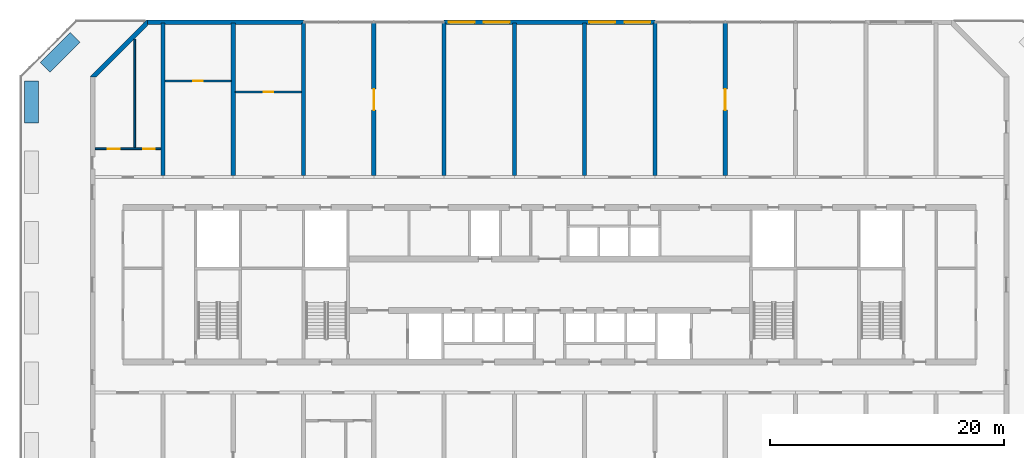
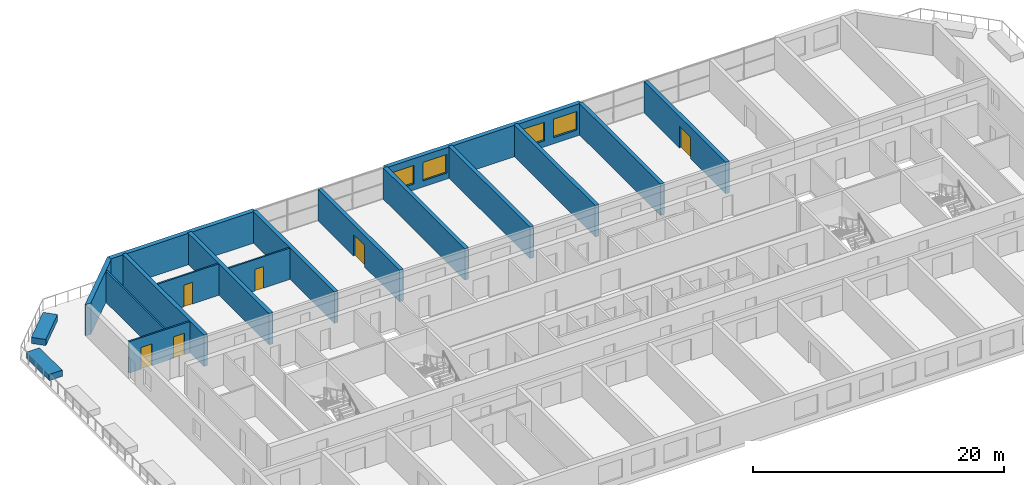
# One storey, part 12 of 18: 18 walls, 6 doors, 4 windows, 10 openings.
"""IFC4 building model written with IfcOpenShell, lengths in metres."""

import ifcopenshell
import ifcopenshell.guid

model = None  # the IFC model being written
_history = None  # IfcOwnerHistory: only IFC2X3 demands one
_inside = {}  # id of a spatial element -> (the spatial element, [elements in it])
_under = {}  # id of a project, library or spatial element -> (it, [spatial elements below it])
_declared = {}  # id of a project -> (the project, [libraries it declares])
_typed = {}  # id of a type object -> (the type object, [elements of that type])
_made_of = {}  # id of a material, layer set ... -> (it, [elements and type objects made of it])


def new_model(schema):
    """Start an empty IFC model of exactly this schema.

    Asked for "IFC4X3", IfcOpenShell would pick the latest addendum, in which some entities
    have other attributes; the version numbers below select the first issue.
    IFC2X3 requires an IfcOwnerHistory on every rooted entity: one is made here for all.
    """
    global model, _history
    if schema == "IFC4X3":
        model = ifcopenshell.file(schema_version=(4, 3, 0, 0))
    else:
        model = ifcopenshell.file(schema=schema)
    _inside.clear()
    _under.clear()
    _declared.clear()
    _typed.clear()
    _made_of.clear()
    _history = None
    if model.schema == "IFC2X3":
        org = make("IfcOrganization", Name="unknown")
        user = make(
            "IfcPersonAndOrganization",
            ThePerson=make("IfcPerson", FamilyName="unknown"),
            TheOrganization=org,
        )
        app = make(
            "IfcApplication",
            ApplicationDeveloper=org,
            Version="unknown",
            ApplicationFullName="unknown",
            ApplicationIdentifier="unknown",
        )
        _history = make(
            "IfcOwnerHistory",
            OwningUser=user,
            OwningApplication=app,
            ChangeAction="ADDED",
            CreationDate=0,
        )
    return model


def make(cls, **values):
    """One entity of the class cls with the attributes given. An attribute that is None is left unset."""
    return model.create_entity(
        cls, **{name: value for name, value in values.items() if value is not None}
    )


def rooted(cls, **values):
    """An entity with a GlobalId (a new one), such as an element, a storey or a relation."""
    return make(cls, GlobalId=ifcopenshell.guid.new(), OwnerHistory=_history, **values)


def si_unit(unit_type, name, prefix=None):
    """IfcSIUnit, for example si_unit("LENGTHUNIT", "METRE", prefix="MILLI")."""
    return make("IfcSIUnit", UnitType=unit_type, Prefix=prefix, Name=name)


def assignment(units):
    """IfcUnitAssignment: the units of a project."""
    return None if units is None else make("IfcUnitAssignment", Units=units)


def point(xyz):
    """IfcCartesianPoint."""
    return None if xyz is None else make("IfcCartesianPoint", Coordinates=xyz)


def direction(xyz):
    """IfcDirection."""
    return None if xyz is None else make("IfcDirection", DirectionRatios=xyz)


def frame(location, z_axis=None, x_axis=None):
    """IfcAxis2Placement3D, a coordinate frame: its origin and axes. An axis left out is left unset."""
    return make(
        "IfcAxis2Placement3D",
        Location=point(location),
        Axis=direction(z_axis),
        RefDirection=direction(x_axis),
    )


def frame_2d(location, x_axis=None):
    """IfcAxis2Placement2D, a coordinate frame in the plane: its origin and x axis."""
    return make(
        "IfcAxis2Placement2D", Location=point(location), RefDirection=direction(x_axis)
    )


def origin():
    """The frame at (0, 0, 0) with its axes left unset."""
    return frame((0.0, 0.0, 0.0))


def place(relative_to, where):
    """IfcLocalPlacement: puts the frame where relative to a parent placement (None: the world)."""
    return make(
        "IfcLocalPlacement", PlacementRelTo=relative_to, RelativePlacement=where
    )


def context(
    kind, dimensions, precision=None, world=None, true_north=None, identifier=None
):
    """IfcGeometricRepresentationContext, for example the 3D "Model" context."""
    return make(
        "IfcGeometricRepresentationContext",
        ContextIdentifier=identifier,
        ContextType=kind,
        CoordinateSpaceDimension=dimensions,
        Precision=precision,
        WorldCoordinateSystem=world,
        TrueNorth=true_north,
    )


def subcontext(parent, identifier, kind, view, scale=None):
    """IfcGeometricRepresentationSubContext, for example "Body" below "Model"."""
    return make(
        "IfcGeometricRepresentationSubContext",
        ContextIdentifier=identifier,
        ContextType=kind,
        ParentContext=parent,
        TargetScale=scale,
        TargetView=view,
    )


def project(units=None, contexts=None):
    """IfcProject with its units and contexts."""
    return rooted(
        "IfcProject",
        Name="project",
        RepresentationContexts=contexts,
        UnitsInContext=assignment(units),
    )


def spatial(cls, under=None, at=None, **own):
    """A site, building, storey or space (cls), placed at a placement, below another one or the project."""
    s = rooted(cls, ObjectPlacement=at, **own)
    if under is not None:
        _under.setdefault(under.id(), (under, []))[1].append(s)
    return s


def polyline(points):
    """IfcPolyline through the points."""
    return make("IfcPolyline", Points=[point(p) for p in points])


def profile(cls, at=None, kind="AREA", **sizes):
    """A parametric profile (cls). Its sizes go by their IFC names, for example OverallWidth=200.0."""
    return make(cls, ProfileType=kind, Position=at, **sizes)


def rectangle(**sizes):
    """IfcRectangleProfileDef."""
    return profile("IfcRectangleProfileDef", **sizes)


def outline(outer, holes=None, kind="AREA"):
    """IfcArbitraryClosedProfileDef: a profile drawn as a closed curve; with holes, ...WithVoids."""
    if holes is None:
        return make("IfcArbitraryClosedProfileDef", ProfileType=kind, OuterCurve=outer)
    return make(
        "IfcArbitraryProfileDefWithVoids",
        ProfileType=kind,
        OuterCurve=outer,
        InnerCurves=holes,
    )


def extrude(swept, where, along, depth):
    """IfcExtrudedAreaSolid: the profile swept, set in the frame where, extruded along a direction by depth."""
    return make(
        "IfcExtrudedAreaSolid",
        SweptArea=swept,
        Position=where,
        ExtrudedDirection=direction(along),
        Depth=depth,
    )


def shape(context_of_items, identifier, shape_type, items):
    """IfcShapeRepresentation: the items that make up one representation, for example the "Body"."""
    return make(
        "IfcShapeRepresentation",
        ContextOfItems=context_of_items,
        RepresentationIdentifier=identifier,
        RepresentationType=shape_type,
        Items=items,
    )


def source(mapping_origin, context_of_items, identifier, shape_type, items):
    """IfcRepresentationMap: a shape defined once, which mapped items show again and again."""
    return make(
        "IfcRepresentationMap",
        MappingOrigin=mapping_origin,
        MappedRepresentation=shape(context_of_items, identifier, shape_type, items),
    )


def transform(
    local_origin,
    x_axis=None,
    y_axis=None,
    z_axis=None,
    scale=None,
    scale2=None,
    scale3=None,
    uniform=True,
):
    """IfcCartesianTransformationOperator3D, or its non-uniform kind. x_axis, y_axis, z_axis: its Axis1, 2, 3."""
    if uniform:
        return make(
            "IfcCartesianTransformationOperator3D",
            Axis1=direction(x_axis),
            Axis2=direction(y_axis),
            LocalOrigin=point(local_origin),
            Scale=scale,
            Axis3=direction(z_axis),
        )
    return make(
        "IfcCartesianTransformationOperator3DnonUniform",
        Axis1=direction(x_axis),
        Axis2=direction(y_axis),
        LocalOrigin=point(local_origin),
        Scale=scale,
        Axis3=direction(z_axis),
        Scale2=scale2,
        Scale3=scale3,
    )


def mapped(mapping_source, mapping_target):
    """IfcMappedItem: shows the shape of a source again, moved by a transform."""
    return make(
        "IfcMappedItem", MappingSource=mapping_source, MappingTarget=mapping_target
    )


def material(Name=None, Category=None):
    """IfcMaterial."""
    return make("IfcMaterial", Name=Name, Category=Category)


def layer(
    of_material, thickness, ventilated=None, Name=None, Category=None, Priority=None
):
    """IfcMaterialLayer: one layer of a wall or slab, of a material (None: an air gap)."""
    return make(
        "IfcMaterialLayer",
        Material=of_material,
        LayerThickness=thickness,
        IsVentilated=ventilated,
        Name=Name,
        Category=Category,
        Priority=Priority,
    )


def layer_set(layers, Name=None):
    """IfcMaterialLayerSet."""
    return make("IfcMaterialLayerSet", MaterialLayers=layers, LayerSetName=Name)


def made_of(thing, what):
    """Note that an element or type object is made of a material, layer set ...; save() writes the relation."""
    if what is not None:
        _made_of.setdefault(what.id(), (what, []))[1].append(thing)
    return thing


def type_object(cls, material=None, **own):
    """A type object (cls), such as IfcWallType, which elements share."""
    return made_of(rooted(cls, **own), material)


def element(
    cls,
    number,
    at=None,
    inside=None,
    cuts=None,
    type_object=None,
    material=None,
    context=None,
    identifier="Body",
    shape_type=None,
    held_by="IfcProductDefinitionShape",
    body=None,
    shapes=None,
    **own,
):
    """One element of the class cls, such as IfcWall. Its Tag is "e" and its number.

    at: its placement. inside: the storey or other place that contains it. cuts: it is an
    opening in that element (IfcRelVoidsElement). A single representation is given by context,
    identifier, shape_type and body (its items); several are given by shapes. held_by: the class
    of the entity that holds the representations. save() writes the other relations.
    """
    e = rooted(cls, Tag="e%d" % number, ObjectPlacement=at, **own)
    if body is not None:
        shapes = [shape(context, identifier, shape_type, body)]
    if shapes is not None:
        e.Representation = make(held_by, Representations=shapes)
    if inside is not None:
        _inside.setdefault(inside.id(), (inside, []))[1].append(e)
    if cuts is not None:
        rooted(
            "IfcRelVoidsElement", RelatingBuildingElement=cuts, RelatedOpeningElement=e
        )
    if type_object is not None:
        _typed.setdefault(type_object.id(), (type_object, []))[1].append(e)
    return made_of(e, material)


def fill(opening, filler):
    """IfcRelFillsElement: the door or window that sits in an opening."""
    return rooted(
        "IfcRelFillsElement",
        RelatingOpeningElement=opening,
        RelatedBuildingElement=filler,
    )


def aggregate(whole, parts):
    """IfcRelAggregates: a whole, such as a stair, and the parts it consists of."""
    return rooted("IfcRelAggregates", RelatingObject=whole, RelatedObjects=parts)


def save(model, path):
    """Write the relations noted so far, then the file.

    IfcRelAggregates (storeys below a building ...), IfcRelContainedInSpatialStructure (elements
    in a storey), IfcRelDefinesByType, IfcRelAssociatesMaterial and IfcRelDeclares: one each for
    every whole, place, type object, material and project.
    """
    for whole, parts in _under.values():
        aggregate(whole, parts)
    for where, things in _inside.values():
        rooted(
            "IfcRelContainedInSpatialStructure",
            RelatedElements=things,
            RelatingStructure=where,
        )
    for kind, things in _typed.values():
        rooted("IfcRelDefinesByType", RelatedObjects=things, RelatingType=kind)
    for what, things in _made_of.values():
        rooted("IfcRelAssociatesMaterial", RelatedObjects=things, RelatingMaterial=what)
    for by, libraries in _declared.values():
        rooted("IfcRelDeclares", RelatingContext=by, RelatedDefinitions=libraries)
    model.write(path)


model = new_model("IFC4")

# Units and contexts
model_context = context("Model", 3, precision=1e-05, world=origin(), true_north=direction((0.0, 1.0)))
body_context = subcontext(model_context, "Body", "Model", "MODEL_VIEW")
ifc_project = project(units=[si_unit("LENGTHUNIT", "METRE"), si_unit("AREAUNIT", "SQUARE_METRE"), si_unit("VOLUMEUNIT", "CUBIC_METRE"), si_unit("PLANEANGLEUNIT", "RADIAN"), si_unit("MASSUNIT", "GRAM", prefix="KILO")], contexts=[model_context])

# Site, building, storey
site_placement = place(None, origin())
site = spatial("IfcSite", under=ifc_project, at=site_placement, CompositionType="ELEMENT")
building_placement = place(site_placement, origin())
building = spatial("IfcBuilding", under=site, at=building_placement, Name="Poui Terraces", CompositionType="ELEMENT")
storey_placement = place(building_placement, frame((0.0, 0.0, 105.89990234375)))
storey = spatial("IfcBuildingStorey", under=building, at=storey_placement, Name="L29", CompositionType="ELEMENT", Elevation=105.89990234375)

# Wall, openings, doors
ifc_material_1 = material(Name="Fire-rated plasterboard wall")
ifc_layer_1 = layer(ifc_material_1, 0.14990234375)
ifc_layer_set_1 = layer_set([ifc_layer_1], Name="Fire-rated plasterboard wall")
wall_type_1 = type_object("IfcWallType", Name="CORRIDOR WALL 150", PredefinedType="PARTITIONING", material=ifc_layer_set_1)
wall_1_placement = place(storey_placement, frame((12.2099609375, 32.800048828125, 0.0), z_axis=(0.0, 0.0, 1.0), x_axis=(1.0, 0.0, 0.0)))
wall_1 = element("IfcWall", 1, at=wall_1_placement, inside=storey, type_object=wall_type_1, Name="CORRIDOR WALL 150", PredefinedType="PARTITIONING", context=body_context, shape_type="SweptSolid", body=[
    extrude(rectangle(XDim=5.60498046875, YDim=0.14990234375, at=frame_2d((2.802490234375, 0.0))), origin(), (0.0, 0.0, 1.0), 3.06005859375),
])
opening_1_placement = place(wall_1_placement, frame((1.090087890625, 0.0, 0.0)))
opening_1 = element("IfcOpeningElement", 2, at=opening_1_placement, cuts=wall_1, Name="Opening D100", PredefinedType="OPENING", context=body_context, shape_type="SweptSolid", body=[
    extrude(rectangle(XDim=1.0, YDim=2.10009765625, at=frame_2d((0.5, 1.050048828125))), frame((0.0, 0.0849609375, 0.0), z_axis=(0.0, -1.0, 0.0), x_axis=(1.0, 0.0, 0.0)), (0.0, 0.0, 1.0), 0.169921875),
])
opening_2_placement = place(wall_1_placement, frame((4.090087890625, 0.0, 0.0)))
opening_2 = element("IfcOpeningElement", 3, at=opening_2_placement, cuts=wall_1, Name="Opening D100", PredefinedType="OPENING", context=body_context, shape_type="SweptSolid", body=[
    extrude(rectangle(XDim=1.0, YDim=2.10009765625, at=frame_2d((0.5, 1.050048828125))), frame((0.0, 0.0849609375, 0.0), z_axis=(0.0, -1.0, 0.0), x_axis=(1.0, 0.0, 0.0)), (0.0, 0.0, 1.0), 0.169921875),
])
ifc_material_2 = material(Name="Solid core timber door", Category="wood")
door_type_1 = type_object("IfcDoorType", Name="ACCESSIBLE INTERNAL DOOR 1000 X 2100", OperationType="NOTDEFINED", PredefinedType="DOOR", material=ifc_material_2)
door_1_placement = place(opening_1_placement, frame((1.0, 0.0, 0.0), z_axis=(0.0, 0.0, 1.0), x_axis=(-1.0, 0.0, 0.0)))
door_1 = element("IfcDoor", 4, at=door_1_placement, inside=storey, type_object=door_type_1, Name="ACCESSIBLE INTERNAL DOOR 057", OperationType="SINGLE_SWING_RIGHT", OverallHeight=2.10009765625, OverallWidth=1.0, PredefinedType="DOOR", context=body_context, shape_type="SweptSolid", body=[
    extrude(rectangle(XDim=1.0, YDim=2.10009765625, at=frame_2d((0.5, 1.050048828125))), frame((0.0, 0.02490234375, 0.0), z_axis=(0.0, -1.0, 0.0), x_axis=(1.0, 0.0, 0.0)), (0.0, 0.0, 1.0), 0.050048828125),
])
fill(opening_1, door_1)
door_2_placement = place(opening_2_placement, frame((1.0, 0.0, 0.0), z_axis=(0.0, 0.0, 1.0), x_axis=(-1.0, 0.0, 0.0)))
door_2 = element("IfcDoor", 5, at=door_2_placement, inside=storey, type_object=door_type_1, Name="ACCESSIBLE INTERNAL DOOR 058", OperationType="SINGLE_SWING_LEFT", OverallHeight=2.10009765625, OverallWidth=1.0, PredefinedType="DOOR", context=body_context, shape_type="SweptSolid", body=[
    extrude(rectangle(XDim=1.0, YDim=2.10009765625, at=frame_2d((0.5, 1.050048828125))), frame((0.0, 0.02490234375, 0.0), z_axis=(0.0, -1.0, 0.0), x_axis=(1.0, 0.0, 0.0)), (0.0, 0.0, 1.0), 0.050048828125),
])
fill(opening_2, door_2)

# Walls
ifc_material_3 = material(Name="Concrete 65 MPa", Category="concrete")
ifc_layer_2 = layer(ifc_material_3, 0.35009765625)
ifc_layer_set_2 = layer_set([ifc_layer_2], Name="Concrete 65 MPa")
wall_type_2 = type_object("IfcWallType", Name="CROSS WALL 350 65MPa", PredefinedType="SHEAR", material=ifc_layer_set_2)
for number, where, z_axis, x_axis, name in (
    (6, (18.0, 30.52490234375, 0.0), (0.0, 0.0, 1.0), (0.0, 1.0, 0.0), "CROSS WALL LINE 4 NORTH"),
    (7, (24.0, 30.52490234375, 0.0), (0.0, 0.0, 1.0), (0.0, 1.0, 0.0), "CROSS WALL LINE 5 NORTH"),
    (8, (30.0, 30.52490234375, 0.0), (0.0, 0.0, 1.0), (0.0, 1.0, 0.0), "CROSS WALL LINE 6 NORTH"),
):
    element("IfcWall", number, at=place(storey_placement, frame(where, z_axis=z_axis, x_axis=x_axis)), inside=storey, type_object=wall_type_2, Name=name, PredefinedType="SHEAR", context=body_context, shape_type="SweptSolid", body=[
        extrude(rectangle(XDim=13.0, YDim=0.35009765625, at=frame_2d((6.5, 0.0))), origin(), (0.0, 0.0, 1.0), 3.06005859375),
    ])

# Wall, opening, door
wall_2_placement = place(storey_placement, frame((36.0, 30.52490234375, 0.0), z_axis=(0.0, 0.0, 1.0), x_axis=(0.0, 1.0, 0.0)))
wall_2 = element("IfcWall", 9, at=wall_2_placement, inside=storey, type_object=wall_type_2, Name="CROSS WALL LINE 7 NORTH", PredefinedType="SHEAR", context=body_context, shape_type="SweptSolid", body=[
    extrude(rectangle(XDim=13.0, YDim=0.35009765625, at=frame_2d((6.5, 0.0))), origin(), (0.0, 0.0, 1.0), 3.06005859375),
])
opening_3_placement = place(wall_2_placement, frame((5.574951171875, 0.0, 0.0)))
opening_3 = element("IfcOpeningElement", 10, at=opening_3_placement, cuts=wall_2, Name="Opening DD180", PredefinedType="OPENING", context=body_context, shape_type="SweptSolid", body=[
    extrude(rectangle(XDim=1.800048828125, YDim=2.10009765625, at=frame_2d((0.89990234375, 1.050048828125))), frame((0.0, 0.18505859375, 0.0), z_axis=(0.0, -1.0, 0.0), x_axis=(1.0, 0.0, 0.0)), (0.0, 0.0, 1.0), 0.3701171875),
])
ifc_material_4 = material(Name="Steel fire door", Category="steel")
door_type_2 = type_object("IfcDoorType", Name="DOUBLE INTERNAL DOOR 1800 X 2100", OperationType="DOUBLE_DOOR_SINGLE_SWING", PredefinedType="DOOR", material=ifc_material_4)
door_3_placement = place(opening_3_placement, origin())
door_3 = element("IfcDoor", 11, at=door_3_placement, inside=storey, type_object=door_type_2, Name="DOUBLE INTERNAL DOOR 061", OperationType="DOUBLE_DOOR_SINGLE_SWING", OverallHeight=2.10009765625, OverallWidth=1.800048828125, PredefinedType="DOOR", context=body_context, shape_type="SweptSolid", body=[
    extrude(rectangle(XDim=1.800048828125, YDim=2.10009765625, at=frame_2d((0.89990234375, 1.050048828125))), frame((0.0, 0.02490234375, 0.0), z_axis=(0.0, -1.0, 0.0), x_axis=(1.0, 0.0, 0.0)), (0.0, 0.0, 1.0), 0.050048828125),
])
fill(opening_3, door_3)

# Walls
for number, where, z_axis, x_axis, name in (
    (12, (42.0, 30.52490234375, 0.0), (0.0, 0.0, 1.0), (0.0, 1.0, 0.0), "CROSS WALL LINE 8 NORTH"),
    (13, (48.0, 30.52490234375, 0.0), (0.0, 0.0, 1.0), (0.0, 1.0, 0.0), "CROSS WALL LINE 9 NORTH"),
    (14, (54.0, 30.52490234375, 0.0), (0.0, 0.0, 1.0), (0.0, 1.0, 0.0), "CROSS WALL LINE 10 NORTH"),
    (15, (60.0, 30.52490234375, 0.0), (0.0, 0.0, 1.0), (0.0, 1.0, 0.0), "CROSS WALL LINE 11 NORTH"),
):
    element("IfcWall", number, at=place(storey_placement, frame(where, z_axis=z_axis, x_axis=x_axis)), inside=storey, type_object=wall_type_2, Name=name, PredefinedType="SHEAR", context=body_context, shape_type="SweptSolid", body=[
        extrude(rectangle(XDim=13.0, YDim=0.35009765625, at=frame_2d((6.5, 0.0))), origin(), (0.0, 0.0, 1.0), 3.06005859375),
    ])

# Wall, opening, door
wall_3_placement = place(storey_placement, frame((66.0, 30.52490234375, 0.0), z_axis=(0.0, 0.0, 1.0), x_axis=(0.0, 1.0, 0.0)))
wall_3 = element("IfcWall", 16, at=wall_3_placement, inside=storey, type_object=wall_type_2, Name="CROSS WALL LINE 12 NORTH", PredefinedType="SHEAR", context=body_context, shape_type="SweptSolid", body=[
    extrude(rectangle(XDim=13.0, YDim=0.35009765625, at=frame_2d((6.5, 0.0))), origin(), (0.0, 0.0, 1.0), 3.06005859375),
])
opening_4_placement = place(wall_3_placement, frame((5.574951171875, 0.0, 0.0)))
opening_4 = element("IfcOpeningElement", 17, at=opening_4_placement, cuts=wall_3, Name="Opening DD180", PredefinedType="OPENING", context=body_context, shape_type="SweptSolid", body=[
    extrude(rectangle(XDim=1.800048828125, YDim=2.10009765625, at=frame_2d((0.89990234375, 1.050048828125))), frame((0.0, 0.18505859375, 0.0), z_axis=(0.0, -1.0, 0.0), x_axis=(1.0, 0.0, 0.0)), (0.0, 0.0, 1.0), 0.3701171875),
])
door_4_placement = place(opening_4_placement, origin())
door_4 = element("IfcDoor", 18, at=door_4_placement, inside=storey, type_object=door_type_2, Name="DOUBLE INTERNAL DOOR 062", OperationType="DOUBLE_DOOR_SINGLE_SWING", OverallHeight=2.10009765625, OverallWidth=1.800048828125, PredefinedType="DOOR", context=body_context, shape_type="SweptSolid", body=[
    extrude(rectangle(XDim=1.800048828125, YDim=2.10009765625, at=frame_2d((0.89990234375, 1.050048828125))), frame((0.0, 0.02490234375, 0.0), z_axis=(0.0, -1.0, 0.0), x_axis=(1.0, 0.0, 0.0)), (0.0, 0.0, 1.0), 0.050048828125),
])
fill(opening_4, door_4)

# Wall, openings, windows
ifc_material_5 = material(Name="Precast concrete 40 MPa", Category="concrete")
ifc_layer_3 = layer(ifc_material_5, 0.39990234375)
ifc_layer_set_3 = layer_set([ifc_layer_3], Name="Precast concrete 40 MPa")
wall_type_3 = type_object("IfcWallType", Name="EXTERNAL WALL 400", PredefinedType="STANDARD", material=ifc_layer_set_3)
wall_4_placement = place(storey_placement, frame((60.0, 43.60009765625, 0.0), z_axis=(0.0, 0.0, 1.0), x_axis=(-1.0, 0.0, 0.0)))
wall_4 = element("IfcWall", 19, at=wall_4_placement, inside=storey, type_object=wall_type_3, Name="EXTERNAL WALL N", PredefinedType="STANDARD", context=body_context, shape_type="SweptSolid", body=[
    extrude(rectangle(XDim=18.0, YDim=0.39990234375, at=frame_2d((9.0, 0.0))), origin(), (0.0, 0.0, 1.0), 3.06005859375),
])
opening_5_placement = place(wall_4_placement, frame((15.39990234375, 0.0, 0.60009765625)))
opening_5 = element("IfcOpeningElement", 20, at=opening_5_placement, cuts=wall_4, Name="Opening W3", PredefinedType="OPENING", context=body_context, shape_type="SweptSolid", body=[
    extrude(rectangle(XDim=2.199951171875, YDim=1.800048828125, at=frame_2d((1.10009765625, 0.89990234375))), frame((0.0, 0.2099609375, 0.0), z_axis=(0.0, -1.0, 0.0), x_axis=(1.0, 0.0, 0.0)), (0.0, 0.0, 1.0), 0.419921875),
])
opening_6_placement = place(wall_4_placement, frame((12.39990234375, 0.0, 0.60009765625)))
opening_6 = element("IfcOpeningElement", 21, at=opening_6_placement, cuts=wall_4, Name="Opening W3", PredefinedType="OPENING", context=body_context, shape_type="SweptSolid", body=[
    extrude(rectangle(XDim=2.199951171875, YDim=1.800048828125, at=frame_2d((1.10009765625, 0.89990234375))), frame((0.0, 0.2099609375, 0.0), z_axis=(0.0, -1.0, 0.0), x_axis=(1.0, 0.0, 0.0)), (0.0, 0.0, 1.0), 0.419921875),
])
opening_7_placement = place(wall_4_placement, frame((3.39990234375, 0.0, 0.60009765625)))
opening_7 = element("IfcOpeningElement", 22, at=opening_7_placement, cuts=wall_4, Name="Opening W3", PredefinedType="OPENING", context=body_context, shape_type="SweptSolid", body=[
    extrude(rectangle(XDim=2.199951171875, YDim=1.800048828125, at=frame_2d((1.10009765625, 0.89990234375))), frame((0.0, 0.2099609375, 0.0), z_axis=(0.0, -1.0, 0.0), x_axis=(1.0, 0.0, 0.0)), (0.0, 0.0, 1.0), 0.419921875),
])
opening_8_placement = place(wall_4_placement, frame((0.39990234375, 0.0, 0.60009765625)))
opening_8 = element("IfcOpeningElement", 23, at=opening_8_placement, cuts=wall_4, Name="Opening W3", PredefinedType="OPENING", context=body_context, shape_type="SweptSolid", body=[
    extrude(rectangle(XDim=2.199951171875, YDim=1.800048828125, at=frame_2d((1.10009765625, 0.89990234375))), frame((0.0, 0.2099609375, 0.0), z_axis=(0.0, -1.0, 0.0), x_axis=(1.0, 0.0, 0.0)), (0.0, 0.0, 1.0), 0.419921875),
])
ifc_material_6 = material(Name="Clear glass in aluminium frame", Category="aluminium")
window_type = type_object("IfcWindowType", Name="WINDOW 2200X1800", PartitioningType="DOUBLE_PANEL_HORIZONTAL", PredefinedType="WINDOW", material=ifc_material_6)
window_1_placement = place(opening_5_placement, origin())
window_1 = element("IfcWindow", 24, at=window_1_placement, inside=storey, type_object=window_type, Name="W3 WINDOW", OverallHeight=1.800048828125, OverallWidth=2.199951171875, PartitioningType="DOUBLE_PANEL_HORIZONTAL", PredefinedType="WINDOW", context=body_context, shape_type="SweptSolid", body=[
    extrude(rectangle(XDim=2.199951171875, YDim=1.800048828125, at=frame_2d((1.10009765625, 0.89990234375))), frame((0.0, 0.030029296875, 0.0), z_axis=(0.0, -1.0, 0.0), x_axis=(1.0, 0.0, 0.0)), (0.0, 0.0, 1.0), 0.06005859375),
])
fill(opening_5, window_1)
window_2_placement = place(opening_6_placement, origin())
window_2 = element("IfcWindow", 25, at=window_2_placement, inside=storey, type_object=window_type, Name="W3 WINDOW", OverallHeight=1.800048828125, OverallWidth=2.199951171875, PartitioningType="DOUBLE_PANEL_HORIZONTAL", PredefinedType="WINDOW", context=body_context, shape_type="SweptSolid", body=[
    extrude(rectangle(XDim=2.199951171875, YDim=1.800048828125, at=frame_2d((1.10009765625, 0.89990234375))), frame((0.0, 0.030029296875, 0.0), z_axis=(0.0, -1.0, 0.0), x_axis=(1.0, 0.0, 0.0)), (0.0, 0.0, 1.0), 0.06005859375),
])
fill(opening_6, window_2)
window_3_placement = place(opening_7_placement, origin())
window_3 = element("IfcWindow", 26, at=window_3_placement, inside=storey, type_object=window_type, Name="W3 WINDOW", OverallHeight=1.800048828125, OverallWidth=2.199951171875, PartitioningType="DOUBLE_PANEL_HORIZONTAL", PredefinedType="WINDOW", context=body_context, shape_type="SweptSolid", body=[
    extrude(rectangle(XDim=2.199951171875, YDim=1.800048828125, at=frame_2d((1.10009765625, 0.89990234375))), frame((0.0, 0.030029296875, 0.0), z_axis=(0.0, -1.0, 0.0), x_axis=(1.0, 0.0, 0.0)), (0.0, 0.0, 1.0), 0.06005859375),
])
fill(opening_7, window_3)
window_4_placement = place(opening_8_placement, origin())
window_4 = element("IfcWindow", 27, at=window_4_placement, inside=storey, type_object=window_type, Name="W3 WINDOW", OverallHeight=1.800048828125, OverallWidth=2.199951171875, PartitioningType="DOUBLE_PANEL_HORIZONTAL", PredefinedType="WINDOW", context=body_context, shape_type="SweptSolid", body=[
    extrude(rectangle(XDim=2.199951171875, YDim=1.800048828125, at=frame_2d((1.10009765625, 0.89990234375))), frame((0.0, 0.030029296875, 0.0), z_axis=(0.0, -1.0, 0.0), x_axis=(1.0, 0.0, 0.0)), (0.0, 0.0, 1.0), 0.06005859375),
])
fill(opening_8, window_4)

# Wall
wall_5_placement = place(storey_placement, frame((30.0, 43.60009765625, 0.0), z_axis=(0.0, 0.0, 1.0), x_axis=(-1.0, 0.0, 0.0)))
element("IfcWall", 28, at=wall_5_placement, inside=storey, type_object=wall_type_3, Name="EXTERNAL WALL N", PredefinedType="STANDARD", context=body_context, shape_type="SweptSolid", body=[
    extrude(rectangle(XDim=13.317138671875, YDim=0.39990234375, at=frame_2d((6.65869140625, 0.0))), origin(), (0.0, 0.0, 1.0), 3.06005859375),
])

# Wall, opening, door
ifc_material_7 = material(Name="Plasterboard partition")
ifc_layer_4 = layer(ifc_material_7, 0.14990234375)
ifc_layer_set_4 = layer_set([ifc_layer_4], Name="Plasterboard partition")
wall_type_4 = type_object("IfcWallType", Name="PARTITION WALL 150", PredefinedType="PARTITIONING", material=ifc_layer_set_4)
wall_6_placement = place(storey_placement, frame((24.18505859375, 37.659912109375, 0.0), z_axis=(0.0, 0.0, 1.0), x_axis=(1.0, 0.0, 0.0)))
wall_6 = element("IfcWall", 29, at=wall_6_placement, inside=storey, type_object=wall_type_4, Name="PARTITION WALL 150", PredefinedType="PARTITIONING", context=body_context, shape_type="SweptSolid", body=[
    extrude(rectangle(XDim=5.6298828125, YDim=0.14990234375, at=frame_2d((2.81494140625, 0.0))), origin(), (0.0, 0.0, 1.0), 3.06005859375),
])
opening_9_placement = place(wall_6_placement, frame((2.4150390625, 0.0, 0.0)))
opening_9 = element("IfcOpeningElement", 30, at=opening_9_placement, cuts=wall_6, Name="Opening D80", PredefinedType="OPENING", context=body_context, shape_type="SweptSolid", body=[
    extrude(rectangle(XDim=0.800048828125, YDim=2.10009765625, at=frame_2d((0.39990234375, 1.050048828125))), frame((0.0, 0.0849609375, 0.0), z_axis=(0.0, -1.0, 0.0), x_axis=(1.0, 0.0, 0.0)), (0.0, 0.0, 1.0), 0.169921875),
])
door_type_3 = type_object("IfcDoorType", Name="BATHROOM, LAUNDRY AND STORE DOOR 800 X 2100", OperationType="NOTDEFINED", PredefinedType="DOOR", material=ifc_material_2)
door_5_placement = place(opening_9_placement, frame((0.800048828125, 0.0, 0.0), z_axis=(0.0, 0.0, 1.0), x_axis=(-1.0, 0.0, 0.0)))
door_5 = element("IfcDoor", 31, at=door_5_placement, inside=storey, type_object=door_type_3, Name="BATHROOM, LAUNDRY AND STORE DOOR 060", OperationType="SINGLE_SWING_LEFT", OverallHeight=2.10009765625, OverallWidth=0.800048828125, PredefinedType="DOOR", context=body_context, shape_type="SweptSolid", body=[
    extrude(rectangle(XDim=0.800048828125, YDim=2.10009765625, at=frame_2d((0.39990234375, 1.050048828125))), frame((0.0, 0.02490234375, 0.0), z_axis=(0.0, -1.0, 0.0), x_axis=(1.0, 0.0, 0.0)), (0.0, 0.0, 1.0), 0.050048828125),
])
fill(opening_9, door_5)

wall_7_placement = place(storey_placement, frame((18.18505859375, 38.583984375, 0.0), z_axis=(0.0, 0.0, 1.0), x_axis=(1.0, 0.0, 0.0)))
wall_7 = element("IfcWall", 32, at=wall_7_placement, inside=storey, type_object=wall_type_4, Name="PARTITION WALL 150", PredefinedType="PARTITIONING", context=body_context, shape_type="SweptSolid", body=[
    extrude(rectangle(XDim=5.6298828125, YDim=0.14990234375, at=frame_2d((2.81494140625, 0.0))), origin(), (0.0, 0.0, 1.0), 3.06005859375),
])
opening_10_placement = place(wall_7_placement, frame((2.4150390625, 0.0, 0.0)))
opening_10 = element("IfcOpeningElement", 33, at=opening_10_placement, cuts=wall_7, Name="Opening D80", PredefinedType="OPENING", context=body_context, shape_type="SweptSolid", body=[
    extrude(rectangle(XDim=0.800048828125, YDim=2.10009765625, at=frame_2d((0.39990234375, 1.050048828125))), frame((0.0, 0.0849609375, 0.0), z_axis=(0.0, -1.0, 0.0), x_axis=(1.0, 0.0, 0.0)), (0.0, 0.0, 1.0), 0.169921875),
])
door_6_placement = place(opening_10_placement, frame((0.800048828125, 0.0, 0.0), z_axis=(0.0, 0.0, 1.0), x_axis=(-1.0, 0.0, 0.0)))
door_6 = element("IfcDoor", 34, at=door_6_placement, inside=storey, type_object=door_type_3, Name="BATHROOM, LAUNDRY AND STORE DOOR 059", OperationType="SINGLE_SWING_RIGHT", OverallHeight=2.10009765625, OverallWidth=0.800048828125, PredefinedType="DOOR", context=body_context, shape_type="SweptSolid", body=[
    extrude(rectangle(XDim=0.800048828125, YDim=2.10009765625, at=frame_2d((0.39990234375, 1.050048828125))), frame((0.0, 0.02490234375, 0.0), z_axis=(0.0, -1.0, 0.0), x_axis=(1.0, 0.0, 0.0)), (0.0, 0.0, 1.0), 0.050048828125),
])
fill(opening_10, door_6)

# Walls
wall_8_placement = place(storey_placement, frame((15.60009765625, 32.875, 0.0), z_axis=(0.0, 0.0, 1.0), x_axis=(0.0, 1.0, 0.0)))
element("IfcWall", 35, at=wall_8_placement, inside=storey, type_object=wall_type_4, Name="PARTITION WALL 150", PredefinedType="PARTITIONING", context=body_context, shape_type="SweptSolid", body=[
    extrude(rectangle(XDim=9.28857421875, YDim=0.14990234375, at=frame_2d((4.644287109375, 0.0))), origin(), (0.0, 0.0, 1.0), 3.06005859375),
])
ifc_layer_5 = layer(ifc_material_5, 0.39990234375)
ifc_layer_set_5 = layer_set([ifc_layer_5], Name="Precast concrete 40 MPa")
wall_type_5 = type_object("IfcWallType", Name="TERRACOTTA CLAD CHAMFER WALL 400", PredefinedType="STANDARD", material=ifc_layer_set_5)
wall_9_placement = place(storey_placement, origin())
element("IfcWall", 36, at=wall_9_placement, inside=storey, type_object=wall_type_5, Name="CHAMFER WALL CH05", PredefinedType="STANDARD", context=body_context, shape_type="SweptSolid", body=[
    extrude(outline(polyline([(16.682861328125, 43.800048828125), (16.60009765625, 43.800048828125), (11.800048828125, 39.0), (11.800048828125, 38.917236328125), (12.28271484375, 38.917236328125), (16.682861328125, 43.317138671875), (16.682861328125, 43.800048828125)])), origin(), (0.0, 0.0, 1.0), 3.06005859375),
])
ifc_layer_6 = layer(ifc_material_5, 1.199951171875)
ifc_layer_set_6 = layer_set([ifc_layer_6], Name="Precast concrete 40 MPa")
wall_type_6 = type_object("IfcWallType", Name="PLANTER 600", PredefinedType="USERDEFINED", material=ifc_layer_set_6)
shared_shape_1 = source(origin(), body_context, "Body", "SweptSolid", [
    extrude(outline(polyline([(0.0, 0.0), (1.199951171875, 0.0), (1.199951171875, 3.60009765625), (0.0, 3.60009765625), (0.0, 0.0)])), origin(), (0.0, 0.0, 1.0), 0.60009765625),
])
wall_10_placement = place(storey_placement, frame((6.179931640625, 35.0, 0.0)))
element("IfcWall", 37, at=wall_10_placement, inside=storey, type_object=wall_type_6, Name="PLANTER", ObjectType="PLANTER", PredefinedType="USERDEFINED", context=body_context, shape_type="MappedRepresentation", body=[
    mapped(shared_shape_1, transform((0.0, 0.0, 0.0))),
])
shared_shape_2 = source(origin(), body_context, "Body", "SweptSolid", [
    extrude(outline(polyline([(0.0, 0.0), (0.8486328125, -0.8486328125), (3.39404296875, 1.697021484375), (2.545654296875, 2.545654296875), (0.0, 0.0)])), origin(), (0.0, 0.0, 1.0), 0.60009765625),
])
wall_11_placement = place(storey_placement, frame((7.52978515625, 40.1923828125, 0.0)))
element("IfcWall", 38, at=wall_11_placement, inside=storey, type_object=wall_type_6, Name="PLANTER", ObjectType="PLANTER", PredefinedType="USERDEFINED", context=body_context, shape_type="MappedRepresentation", body=[
    mapped(shared_shape_2, transform((0.0, 0.0, 0.0))),
])

save(model, "model.ifc")
